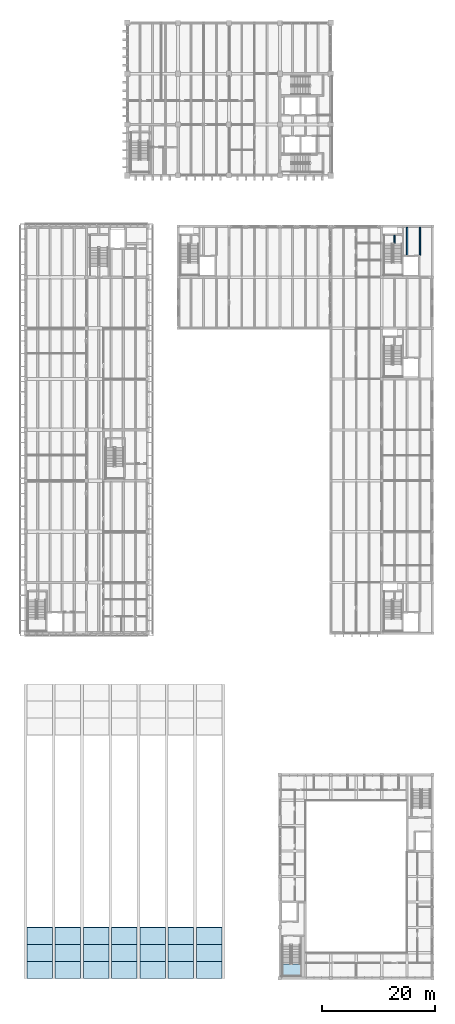
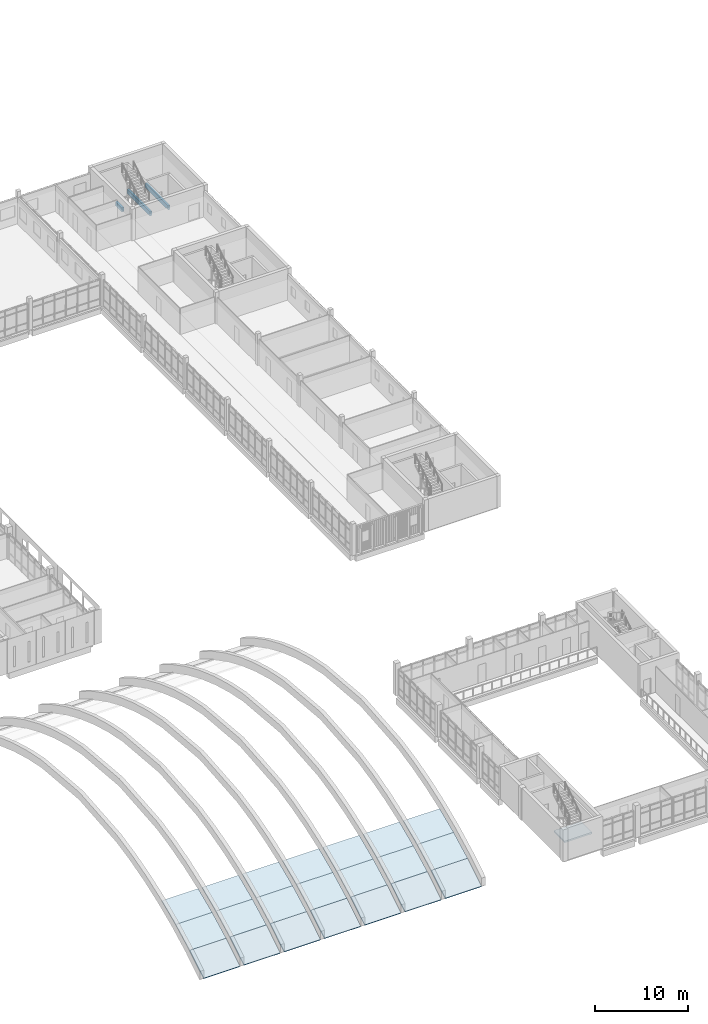
# One storey, part 36 of 88: 22 slabs, 3 beams, 1 element without a shape of its own.
"""IFC4 building model written with IfcOpenShell, lengths in metres."""

from ifc_helpers import new_model, si_unit, direction, frame, origin, origin_2d, place, context, subcontext, project, spatial, polyline, rectangle, outline, extrude, material, layer, layer_set, material_profile, profile_set, type_object, element, aggregate, save


model = new_model("IFC4")

# Units and contexts
model_context = context("Model", 3, precision=1e-05, world=origin(), true_north=direction((0.0, 1.0)))
body_context = subcontext(model_context, "Body", "Model", "MODEL_VIEW")
ifc_project = project(units=[si_unit("LENGTHUNIT", "METRE"), si_unit("AREAUNIT", "SQUARE_METRE"), si_unit("VOLUMEUNIT", "CUBIC_METRE"), si_unit("PLANEANGLEUNIT", "RADIAN"), si_unit("MASSUNIT", "GRAM", prefix="KILO")], contexts=[model_context])

# Site, building, storey
site_placement = place(None, origin())
site = spatial("IfcSite", under=ifc_project, at=site_placement, CompositionType="ELEMENT")
building_placement = place(site_placement, origin())
building = spatial("IfcBuilding", under=site, at=building_placement, Name="Merrow Basin Faculty of Sciences", CompositionType="ELEMENT")
storey_placement = place(building_placement, frame((0.0, 0.0, 9.0)))
storey = spatial("IfcBuildingStorey", under=building, at=storey_placement, Name="L02", CompositionType="ELEMENT", Elevation=9.0)

# Beams
ifc_material_1 = material(Name="Concrete C40/50", Category="concrete")
ifc_material_profile = material_profile(ifc_material_1, rectangle(XDim=0.25, YDim=0.550048828125, at=origin_2d()))
ifc_profile_set = profile_set([ifc_material_profile], Name="Concrete C40/50")
beam_type = type_object("IfcBeamType", Name="Commons floor joist RC250x550 C40/50", PredefinedType="BEAM", material=ifc_profile_set)
beam_placement = place(storey_placement, frame((65.25, 130.0, -0.52490234375), z_axis=(0.0, 1.0, 0.0), x_axis=(-1.0, 0.0, 0.0)))
element("IfcBeam", 1, at=beam_placement, inside=storey, type_object=beam_type, Name="JC1 L02 105", PredefinedType="BEAM", context=body_context, shape_type="SweptSolid", body=[
    extrude(rectangle(XDim=0.25, YDim=0.550048828125, at=origin_2d()), origin(), (0.0, 0.0, 1.0), 1.39990234375),
])
for number, where, z_axis, x_axis, name in (
    (2, (67.5, 127.85009765625, -0.52490234375), (0.0, 1.0, 0.0), (-1.0, 0.0, 0.0), "JC1 L02 106"),
    (3, (69.75, 127.85009765625, -0.52490234375), (0.0, 1.0, 0.0), (-1.0, 0.0, 0.0), "JC1 L02 107"),
):
    element("IfcBeam", number, at=place(storey_placement, frame(where, z_axis=z_axis, x_axis=x_axis)), inside=storey, type_object=beam_type, Name=name, PredefinedType="BEAM", context=body_context, shape_type="SweptSolid", body=[
        extrude(rectangle(XDim=0.25, YDim=0.550048828125, at=origin_2d()), origin(), (0.0, 0.0, 1.0), 4.949951171875),
    ])

# Slabs
ifc_material_2 = material(Name="Concrete C50/60", Category="concrete")
ifc_layer_1 = layer(ifc_material_2, 0.14990234375)
ifc_layer_set_1 = layer_set([ifc_layer_1], Name="Shell strip 150 Concrete C50/60")
slab_type_1 = type_object("IfcSlabType", Name="Shell strip 150 Concrete C50/60", PredefinedType="ROOF", material=ifc_layer_set_1)
slab_1_placement = place(storey_placement, frame((0.25, 0.0, 0.12744140625), z_axis=(0.0, -0.528358336207, 0.84902147709), x_axis=(1.0, 0.0, 0.0)))
element("IfcSlab", 4, at=slab_1_placement, inside=storey, type_object=slab_type_1, Name="Shell strip 1.1", PredefinedType="ROOF", context=body_context, shape_type="SweptSolid", body=[
    extrude(outline(polyline([(0.0, 0.0), (4.5, 0.0), (4.5, 3.53347951842294), (0.0, 3.53347951842294), (0.0, 0.0)])), origin(), (0.0, 0.0, -1.0), 0.14990234375),
])
slab_2_placement = place(storey_placement, frame((0.25, 3.0, 1.994384765625), z_axis=(0.0, -0.46369174099, 0.885996596685), x_axis=(1.0, 0.0, 0.0)))
element("IfcSlab", 5, at=slab_2_placement, inside=storey, type_object=slab_type_1, Name="Shell strip 1.2", PredefinedType="ROOF", context=body_context, shape_type="SweptSolid", body=[
    extrude(outline(polyline([(0.0, 0.0), (4.5, 0.0), (4.5, 3.3860175210873473), (0.0, 3.3860175210873473), (0.0, 0.0)])), origin(), (0.0, 0.0, -1.0), 0.14990234375),
])
slab_3_placement = place(storey_placement, frame((0.25, 6.0, 3.564453125), z_axis=(0.0, -0.398938938724, 0.916977493273), x_axis=(1.0, 0.0, 0.0)))
element("IfcSlab", 6, at=slab_3_placement, inside=storey, type_object=slab_type_1, Name="Shell strip 1.3", PredefinedType="ROOF", context=body_context, shape_type="SweptSolid", body=[
    extrude(outline(polyline([(0.0, 0.0), (4.5, 0.0), (4.5, 3.271617920840016), (0.0, 3.271617920840016), (0.0, 0.0)])), origin(), (0.0, 0.0, -1.0), 0.14990234375),
])
slab_4_placement = place(storey_placement, frame((5.25, 0.0, 0.12744140625), z_axis=(0.0, -0.528358336207, 0.84902147709), x_axis=(1.0, 0.0, 0.0)))
element("IfcSlab", 7, at=slab_4_placement, inside=storey, type_object=slab_type_1, Name="Shell strip 2.1", PredefinedType="ROOF", context=body_context, shape_type="SweptSolid", body=[
    extrude(outline(polyline([(0.0, 0.0), (4.5, 0.0), (4.5, 3.53347951842294), (0.0, 3.53347951842294), (0.0, 0.0)])), origin(), (0.0, 0.0, -1.0), 0.14990234375),
])
slab_5_placement = place(storey_placement, frame((5.25, 3.0, 1.994384765625), z_axis=(0.0, -0.46369174099, 0.885996596685), x_axis=(1.0, 0.0, 0.0)))
element("IfcSlab", 8, at=slab_5_placement, inside=storey, type_object=slab_type_1, Name="Shell strip 2.2", PredefinedType="ROOF", context=body_context, shape_type="SweptSolid", body=[
    extrude(outline(polyline([(0.0, 0.0), (4.5, 0.0), (4.5, 3.3860175210873473), (0.0, 3.3860175210873473), (0.0, 0.0)])), origin(), (0.0, 0.0, -1.0), 0.14990234375),
])
slab_6_placement = place(storey_placement, frame((5.25, 6.0, 3.564453125), z_axis=(0.0, -0.398938938724, 0.916977493273), x_axis=(1.0, 0.0, 0.0)))
element("IfcSlab", 9, at=slab_6_placement, inside=storey, type_object=slab_type_1, Name="Shell strip 2.3", PredefinedType="ROOF", context=body_context, shape_type="SweptSolid", body=[
    extrude(outline(polyline([(0.0, 0.0), (4.5, 0.0), (4.5, 3.271617920840016), (0.0, 3.271617920840016), (0.0, 0.0)])), origin(), (0.0, 0.0, -1.0), 0.14990234375),
])
slab_7_placement = place(storey_placement, frame((10.25, 0.0, 0.12744140625), z_axis=(0.0, -0.528358336207, 0.84902147709), x_axis=(1.0, 0.0, 0.0)))
element("IfcSlab", 10, at=slab_7_placement, inside=storey, type_object=slab_type_1, Name="Shell strip 3.1", PredefinedType="ROOF", context=body_context, shape_type="SweptSolid", body=[
    extrude(outline(polyline([(0.0, 0.0), (4.5, 0.0), (4.5, 3.53347951842294), (0.0, 3.53347951842294), (0.0, 0.0)])), origin(), (0.0, 0.0, -1.0), 0.14990234375),
])
slab_8_placement = place(storey_placement, frame((10.25, 3.0, 1.994384765625), z_axis=(0.0, -0.46369174099, 0.885996596685), x_axis=(1.0, 0.0, 0.0)))
element("IfcSlab", 11, at=slab_8_placement, inside=storey, type_object=slab_type_1, Name="Shell strip 3.2", PredefinedType="ROOF", context=body_context, shape_type="SweptSolid", body=[
    extrude(outline(polyline([(0.0, 0.0), (4.5, 0.0), (4.5, 3.3860175210873473), (0.0, 3.3860175210873473), (0.0, 0.0)])), origin(), (0.0, 0.0, -1.0), 0.14990234375),
])
slab_9_placement = place(storey_placement, frame((10.25, 6.0, 3.564453125), z_axis=(0.0, -0.398938938724, 0.916977493273), x_axis=(1.0, 0.0, 0.0)))
element("IfcSlab", 12, at=slab_9_placement, inside=storey, type_object=slab_type_1, Name="Shell strip 3.3", PredefinedType="ROOF", context=body_context, shape_type="SweptSolid", body=[
    extrude(outline(polyline([(0.0, 0.0), (4.5, 0.0), (4.5, 3.271617920840016), (0.0, 3.271617920840016), (0.0, 0.0)])), origin(), (0.0, 0.0, -1.0), 0.14990234375),
])
slab_10_placement = place(storey_placement, frame((15.25, 0.0, 0.12744140625), z_axis=(0.0, -0.528358336207, 0.84902147709), x_axis=(1.0, 0.0, 0.0)))
element("IfcSlab", 13, at=slab_10_placement, inside=storey, type_object=slab_type_1, Name="Shell strip 4.1", PredefinedType="ROOF", context=body_context, shape_type="SweptSolid", body=[
    extrude(outline(polyline([(0.0, 0.0), (4.5, 0.0), (4.5, 3.53347951842294), (0.0, 3.53347951842294), (0.0, 0.0)])), origin(), (0.0, 0.0, -1.0), 0.14990234375),
])
slab_11_placement = place(storey_placement, frame((15.25, 3.0, 1.994384765625), z_axis=(0.0, -0.46369174099, 0.885996596685), x_axis=(1.0, 0.0, 0.0)))
element("IfcSlab", 14, at=slab_11_placement, inside=storey, type_object=slab_type_1, Name="Shell strip 4.2", PredefinedType="ROOF", context=body_context, shape_type="SweptSolid", body=[
    extrude(outline(polyline([(0.0, 0.0), (4.5, 0.0), (4.5, 3.3860175210873473), (0.0, 3.3860175210873473), (0.0, 0.0)])), origin(), (0.0, 0.0, -1.0), 0.14990234375),
])
slab_12_placement = place(storey_placement, frame((15.25, 6.0, 3.564453125), z_axis=(0.0, -0.398938938724, 0.916977493273), x_axis=(1.0, 0.0, 0.0)))
element("IfcSlab", 15, at=slab_12_placement, inside=storey, type_object=slab_type_1, Name="Shell strip 4.3", PredefinedType="ROOF", context=body_context, shape_type="SweptSolid", body=[
    extrude(outline(polyline([(0.0, 0.0), (4.5, 0.0), (4.5, 3.271617920840016), (0.0, 3.271617920840016), (0.0, 0.0)])), origin(), (0.0, 0.0, -1.0), 0.14990234375),
])
slab_13_placement = place(storey_placement, frame((20.25, 0.0, 0.12744140625), z_axis=(0.0, -0.528358336207, 0.84902147709), x_axis=(1.0, 0.0, 0.0)))
element("IfcSlab", 16, at=slab_13_placement, inside=storey, type_object=slab_type_1, Name="Shell strip 5.1", PredefinedType="ROOF", context=body_context, shape_type="SweptSolid", body=[
    extrude(outline(polyline([(0.0, 0.0), (4.5, 0.0), (4.5, 3.53347951842294), (0.0, 3.53347951842294), (0.0, 0.0)])), origin(), (0.0, 0.0, -1.0), 0.14990234375),
])
slab_14_placement = place(storey_placement, frame((20.25, 3.0, 1.994384765625), z_axis=(0.0, -0.46369174099, 0.885996596685), x_axis=(1.0, 0.0, 0.0)))
element("IfcSlab", 17, at=slab_14_placement, inside=storey, type_object=slab_type_1, Name="Shell strip 5.2", PredefinedType="ROOF", context=body_context, shape_type="SweptSolid", body=[
    extrude(outline(polyline([(0.0, 0.0), (4.5, 0.0), (4.5, 3.3860175210873473), (0.0, 3.3860175210873473), (0.0, 0.0)])), origin(), (0.0, 0.0, -1.0), 0.14990234375),
])
slab_15_placement = place(storey_placement, frame((20.25, 6.0, 3.564453125), z_axis=(0.0, -0.398938938724, 0.916977493273), x_axis=(1.0, 0.0, 0.0)))
element("IfcSlab", 18, at=slab_15_placement, inside=storey, type_object=slab_type_1, Name="Shell strip 5.3", PredefinedType="ROOF", context=body_context, shape_type="SweptSolid", body=[
    extrude(outline(polyline([(0.0, 0.0), (4.5, 0.0), (4.5, 3.271617920840016), (0.0, 3.271617920840016), (0.0, 0.0)])), origin(), (0.0, 0.0, -1.0), 0.14990234375),
])
slab_16_placement = place(storey_placement, frame((25.25, 0.0, 0.12744140625), z_axis=(0.0, -0.528358336207, 0.84902147709), x_axis=(1.0, 0.0, 0.0)))
element("IfcSlab", 19, at=slab_16_placement, inside=storey, type_object=slab_type_1, Name="Shell strip 6.1", PredefinedType="ROOF", context=body_context, shape_type="SweptSolid", body=[
    extrude(outline(polyline([(0.0, 0.0), (4.5, 0.0), (4.5, 3.53347951842294), (0.0, 3.53347951842294), (0.0, 0.0)])), origin(), (0.0, 0.0, -1.0), 0.14990234375),
])
slab_17_placement = place(storey_placement, frame((25.25, 3.0, 1.994384765625), z_axis=(0.0, -0.46369174099, 0.885996596685), x_axis=(1.0, 0.0, 0.0)))
element("IfcSlab", 20, at=slab_17_placement, inside=storey, type_object=slab_type_1, Name="Shell strip 6.2", PredefinedType="ROOF", context=body_context, shape_type="SweptSolid", body=[
    extrude(outline(polyline([(0.0, 0.0), (4.5, 0.0), (4.5, 3.3860175210873473), (0.0, 3.3860175210873473), (0.0, 0.0)])), origin(), (0.0, 0.0, -1.0), 0.14990234375),
])
slab_18_placement = place(storey_placement, frame((25.25, 6.0, 3.564453125), z_axis=(0.0, -0.398938938724, 0.916977493273), x_axis=(1.0, 0.0, 0.0)))
element("IfcSlab", 21, at=slab_18_placement, inside=storey, type_object=slab_type_1, Name="Shell strip 6.3", PredefinedType="ROOF", context=body_context, shape_type="SweptSolid", body=[
    extrude(outline(polyline([(0.0, 0.0), (4.5, 0.0), (4.5, 3.271617920840016), (0.0, 3.271617920840016), (0.0, 0.0)])), origin(), (0.0, 0.0, -1.0), 0.14990234375),
])
slab_19_placement = place(storey_placement, frame((30.25, 0.0, 0.12744140625), z_axis=(0.0, -0.528358336207, 0.84902147709), x_axis=(1.0, 0.0, 0.0)))
element("IfcSlab", 22, at=slab_19_placement, inside=storey, type_object=slab_type_1, Name="Shell strip 7.1", PredefinedType="ROOF", context=body_context, shape_type="SweptSolid", body=[
    extrude(outline(polyline([(0.0, 0.0), (4.5, 0.0), (4.5, 3.53347951842294), (0.0, 3.53347951842294), (0.0, 0.0)])), origin(), (0.0, 0.0, -1.0), 0.14990234375),
])
slab_20_placement = place(storey_placement, frame((30.25, 3.0, 1.994384765625), z_axis=(0.0, -0.46369174099, 0.885996596685), x_axis=(1.0, 0.0, 0.0)))
element("IfcSlab", 23, at=slab_20_placement, inside=storey, type_object=slab_type_1, Name="Shell strip 7.2", PredefinedType="ROOF", context=body_context, shape_type="SweptSolid", body=[
    extrude(outline(polyline([(0.0, 0.0), (4.5, 0.0), (4.5, 3.3860175210873473), (0.0, 3.3860175210873473), (0.0, 0.0)])), origin(), (0.0, 0.0, -1.0), 0.14990234375),
])
slab_21_placement = place(storey_placement, frame((30.25, 6.0, 3.564453125), z_axis=(0.0, -0.398938938724, 0.916977493273), x_axis=(1.0, 0.0, 0.0)))
element("IfcSlab", 24, at=slab_21_placement, inside=storey, type_object=slab_type_1, Name="Shell strip 7.3", PredefinedType="ROOF", context=body_context, shape_type="SweptSolid", body=[
    extrude(outline(polyline([(0.0, 0.0), (4.5, 0.0), (4.5, 3.271617920840016), (0.0, 3.271617920840016), (0.0, 0.0)])), origin(), (0.0, 0.0, -1.0), 0.14990234375),
])

# Stair, slab
ifc_material_3 = material(Name="Concrete C40/50", Category="concrete")
stair_type = type_object("IfcStairType", Name="Concrete dog-leg stair Concrete C40/50", PredefinedType="HALF_TURN_STAIR", material=ifc_material_3)
stair_placement = place(storey_placement, origin())
stair = element("IfcStair", 25, at=stair_placement, inside=storey, type_object=stair_type, Name="L02 Exit stair W", PredefinedType="HALF_TURN_STAIR")
ifc_material_4 = material(Name="Concrete C40/50", Category="concrete")
ifc_layer_2 = layer(ifc_material_4, 0.199951171875)
ifc_layer_set_2 = layer_set([ifc_layer_2], Name="Stair landing 200 Concrete C40/50")
slab_type_2 = type_object("IfcSlabType", Name="Stair landing 200 Concrete C40/50", PredefinedType="LANDING", material=ifc_layer_set_2)
slab_22_placement = place(storey_placement, frame((0.0, 0.0, 2.050048828125)))
slab_22 = element("IfcSlab", 26, at=slab_22_placement, type_object=slab_type_2, Name="ST-V3-W landing 1", PredefinedType="LANDING", context=body_context, shape_type="SweptSolid", body=[
    extrude(outline(polyline([(45.199951171875, 0.199951171875), (48.60009765625, 0.199951171875), (48.60009765625, 2.5400390625), (45.199951171875, 2.5400390625), (45.199951171875, 0.199951171875)])), origin(), (0.0, 0.0, 1.0), 0.199951171875),
])
aggregate(stair, [slab_22])

save(model, "model.ifc")
